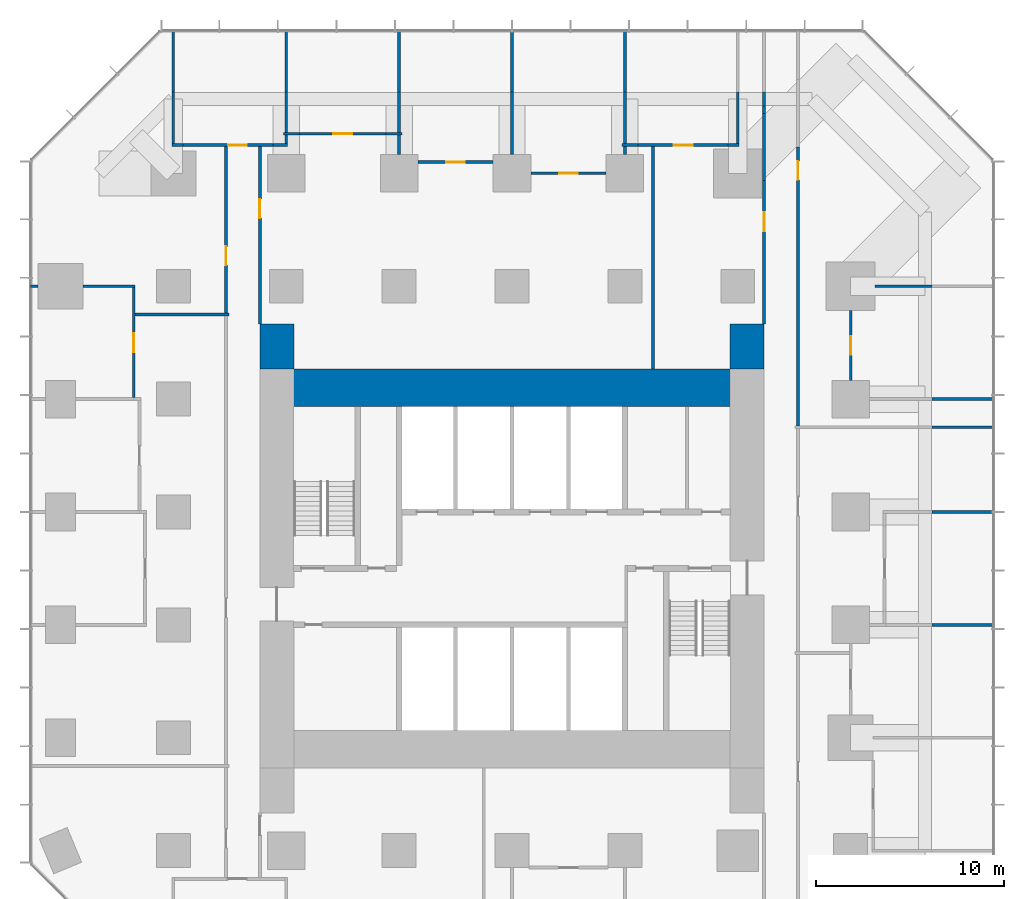
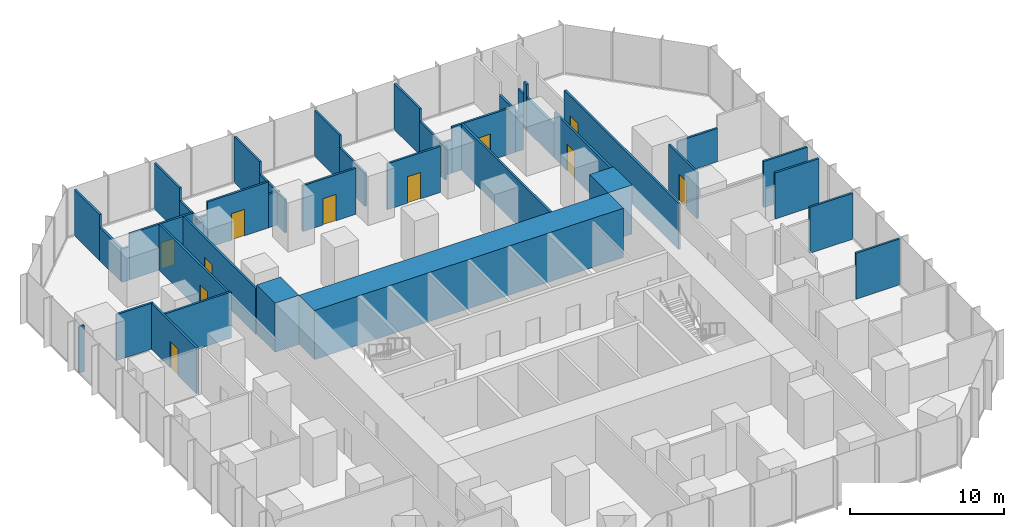
# One storey, part 10 of 12: 46 walls, 11 doors, 11 openings.
"""IFC4 building model written with IfcOpenShell, lengths in metres."""

from ifc_helpers import new_model, si_unit, direction, frame, frame_2d, origin, place, context, subcontext, project, spatial, rectangle, extrude, material, layer, layer_set, type_object, element, fill, save


model = new_model("IFC4")

# Units and contexts
model_context = context("Model", 3, precision=1e-05, world=origin(), true_north=direction((0.0, 1.0)))
body_context = subcontext(model_context, "Body", "Model", "MODEL_VIEW")
ifc_project = project(units=[si_unit("LENGTHUNIT", "METRE"), si_unit("AREAUNIT", "SQUARE_METRE"), si_unit("VOLUMEUNIT", "CUBIC_METRE"), si_unit("PLANEANGLEUNIT", "RADIAN"), si_unit("MASSUNIT", "GRAM", prefix="KILO")], contexts=[model_context])

# Site, building, storey
site_placement = place(None, origin())
site = spatial("IfcSite", under=ifc_project, at=site_placement, CompositionType="ELEMENT")
building_placement = place(site_placement, origin())
building = spatial("IfcBuilding", under=site, at=building_placement, Name="Highveld Stack Headquarters", CompositionType="ELEMENT")
storey_placement = place(building_placement, frame((0.0, 0.0, 80.60009765625)))
storey = spatial("IfcBuildingStorey", under=building, at=storey_placement, Name="L19", CompositionType="ELEMENT", Elevation=80.60009765625)

# Walls
ifc_material_1 = material(Name="Concrete C60/75", Category="concrete")
ifc_layer_1 = layer(ifc_material_1, 2.0)
ifc_layer_set_1 = layer_set([ifc_layer_1], Name="Concrete C60/75")
wall_type_1 = type_object("IfcWallType", Name="CORE WALL 2000 C60/75", PredefinedType="SHEAR", material=ifc_layer_set_1)
wall_1_placement = place(storey_placement, frame((-5.60009765625, 12.60009765625, 0.0), z_axis=(0.0, 0.0, 1.0), x_axis=(1.0, 0.0, 0.0)))
element("IfcWall", 1, at=wall_1_placement, inside=storey, type_object=wall_type_1, Name="Core wall N L19", PredefinedType="SHEAR", context=body_context, shape_type="SweptSolid", body=[
    extrude(rectangle(XDim=23.2001953125, YDim=2.0, at=frame_2d((11.60009765625, 0.0))), origin(), (0.0, 0.0, 1.0), 3.89990234375),
])
ifc_material_2 = material(Name="Concrete C60/75", Category="concrete")
ifc_layer_2 = layer(ifc_material_2, 1.800048828125)
ifc_layer_set_2 = layer_set([ifc_layer_2], Name="Concrete C60/75")
wall_type_2 = type_object("IfcWallType", Name="CORE WING WALL 1800 C60/75", PredefinedType="SHEAR", material=ifc_layer_set_2)
for number, where, z_axis, x_axis, name in (
    (2, (-6.5, 13.60009765625, 0.0), (0.0, 0.0, 1.0), (0.0, 1.0, 0.0), "Core wing wall WN L19"),
    (3, (18.5, 13.60009765625, 0.0), (0.0, 0.0, 1.0), (0.0, 1.0, 0.0), "Core wing wall EN L19"),
):
    element("IfcWall", number, at=place(storey_placement, frame(where, z_axis=z_axis, x_axis=x_axis)), inside=storey, type_object=wall_type_2, Name=name, PredefinedType="SHEAR", context=body_context, shape_type="SweptSolid", body=[
        extrude(rectangle(XDim=2.39990234375, YDim=1.800048828125, at=frame_2d((1.199951171875, 0.0))), origin(), (0.0, 0.0, 1.0), 3.89990234375),
    ])

# Wall, opening, door
ifc_material_3 = material(Name="Laminated glass in aluminium frame", Category="aluminium")
ifc_layer_3 = layer(ifc_material_3, 0.14990234375)
ifc_layer_set_3 = layer_set([ifc_layer_3], Name="Laminated glass in aluminium frame")
wall_type_3 = type_object("IfcWallType", Name="GLAZED PARTITION 150", PredefinedType="PARTITIONING", material=ifc_layer_set_3)
wall_2_placement = place(storey_placement, frame((7.0, 24.0, 0.0), z_axis=(0.0, 0.0, 1.0), x_axis=(1.0, 0.0, 0.0)))
wall_2 = element("IfcWall", 4, at=wall_2_placement, inside=storey, type_object=wall_type_3, Name="Glazed partition Meeting room L19", PredefinedType="PARTITIONING", context=body_context, shape_type="SweptSolid", body=[
    extrude(rectangle(XDim=4.0, YDim=0.14990234375, at=frame_2d((2.0, 0.0))), origin(), (0.0, 0.0, 1.0), 3.64990234375),
])
opening_1_placement = place(wall_2_placement, frame((1.5, 0.0, 0.0)))
opening_1 = element("IfcOpeningElement", 5, at=opening_1_placement, cuts=wall_2, Name="Opening L19-22", PredefinedType="OPENING", context=body_context, shape_type="SweptSolid", body=[
    extrude(rectangle(XDim=1.0, YDim=2.10009765625, at=frame_2d((0.5, 1.050048828125))), frame((0.0, 0.0849609375, 0.0), z_axis=(0.0, -1.0, 0.0), x_axis=(1.0, 0.0, 0.0)), (0.0, 0.0, 1.0), 0.169921875),
])
ifc_material_4 = material(Name="Timber door, oiled ash", Category="wood")
door_type = type_object("IfcDoorType", Name="ROOM DOOR D6 1000x2100", OperationType="SINGLE_SWING_LEFT", PredefinedType="DOOR", material=ifc_material_4)
door_1_placement = place(opening_1_placement, origin())
door_1 = element("IfcDoor", 6, at=door_1_placement, inside=storey, type_object=door_type, Name="Meeting room door 1 L19", OperationType="SINGLE_SWING_RIGHT", OverallHeight=2.10009765625, OverallWidth=1.0, PredefinedType="DOOR", context=body_context, shape_type="SweptSolid", body=[
    extrude(rectangle(XDim=1.0, YDim=2.10009765625, at=frame_2d((0.5, 1.050048828125))), frame((0.0, 0.02490234375, 0.0), z_axis=(0.0, -1.0, 0.0), x_axis=(1.0, 0.0, 0.0)), (0.0, 0.0, 1.0), 0.050048828125),
])
fill(opening_1, door_1)

wall_3_placement = place(storey_placement, frame((1.0, 24.60009765625, 0.0), z_axis=(0.0, 0.0, 1.0), x_axis=(1.0, 0.0, 0.0)))
wall_3 = element("IfcWall", 7, at=wall_3_placement, inside=storey, type_object=wall_type_3, Name="Glazed partition Video conference room L19", PredefinedType="PARTITIONING", context=body_context, shape_type="SweptSolid", body=[
    extrude(rectangle(XDim=4.0, YDim=0.14990234375, at=frame_2d((2.0, 0.0))), origin(), (0.0, 0.0, 1.0), 3.64990234375),
])
opening_2_placement = place(wall_3_placement, frame((1.5, 0.0, 0.0)))
opening_2 = element("IfcOpeningElement", 8, at=opening_2_placement, cuts=wall_3, Name="Opening L19-21", PredefinedType="OPENING", context=body_context, shape_type="SweptSolid", body=[
    extrude(rectangle(XDim=1.0, YDim=2.10009765625, at=frame_2d((0.5, 1.050048828125))), frame((0.0, 0.0849609375, 0.0), z_axis=(0.0, -1.0, 0.0), x_axis=(1.0, 0.0, 0.0)), (0.0, 0.0, 1.0), 0.169921875),
])
door_2_placement = place(opening_2_placement, origin())
door_2 = element("IfcDoor", 9, at=door_2_placement, inside=storey, type_object=door_type, Name="Video conference room door 1 L19", OperationType="SINGLE_SWING_RIGHT", OverallHeight=2.10009765625, OverallWidth=1.0, PredefinedType="DOOR", context=body_context, shape_type="SweptSolid", body=[
    extrude(rectangle(XDim=1.0, YDim=2.10009765625, at=frame_2d((0.5, 1.050048828125))), frame((0.0, 0.02490234375, 0.0), z_axis=(0.0, -1.0, 0.0), x_axis=(1.0, 0.0, 0.0)), (0.0, 0.0, 1.0), 0.050048828125),
])
fill(opening_2, door_2)

# Walls
ifc_material_5 = material(Name="Gypsum plasterboard on steel studs", Category="steel")
ifc_layer_4 = layer(ifc_material_5, 0.14990234375)
ifc_layer_set_4 = layer_set([ifc_layer_4], Name="Gypsum plasterboard on steel studs")
wall_type_4 = type_object("IfcWallType", Name="PARTITION 150 PLASTERBOARD", PredefinedType="PARTITIONING", material=ifc_layer_set_4)
wall_4_placement = place(storey_placement, frame((28.31005859375, 0.0, 0.0), z_axis=(0.0, 0.0, 1.0), x_axis=(1.0, 0.0, 0.0)))
element("IfcWall", 10, at=wall_4_placement, inside=storey, type_object=wall_type_4, Name="Partition Meeting room / Print room L19", PredefinedType="PARTITIONING", context=body_context, shape_type="SweptSolid", body=[
    extrude(rectangle(XDim=3.2900390625, YDim=0.14990234375, at=frame_2d((1.64501953125, 0.0))), origin(), (0.0, 0.0, 1.0), 3.64990234375),
])
wall_5_placement = place(storey_placement, frame((28.31005859375, 6.0, 0.0), z_axis=(0.0, 0.0, 1.0), x_axis=(1.0, 0.0, 0.0)))
element("IfcWall", 11, at=wall_5_placement, inside=storey, type_object=wall_type_4, Name="Partition Print room L19", PredefinedType="PARTITIONING", context=body_context, shape_type="SweptSolid", body=[
    extrude(rectangle(XDim=3.239990234375, YDim=0.14990234375, at=frame_2d((1.6201171875, 0.0))), origin(), (0.0, 0.0, 1.0), 3.64990234375),
])
wall_6_placement = place(storey_placement, frame((28.31005859375, 12.0, 0.0), z_axis=(0.0, 0.0, 1.0), x_axis=(1.0, 0.0, 0.0)))
element("IfcWall", 12, at=wall_6_placement, inside=storey, type_object=wall_type_4, Name="Partition Office L19", PredefinedType="PARTITIONING", context=body_context, shape_type="SweptSolid", body=[
    extrude(rectangle(XDim=3.2900390625, YDim=0.14990234375, at=frame_2d((1.64501953125, 0.0))), origin(), (0.0, 0.0, 1.0), 3.64990234375),
])
wall_7_placement = place(storey_placement, frame((-19.60009765625, 18.0, 0.0), z_axis=(0.0, 0.0, 1.0), x_axis=(1.0, 0.0, 0.0)))
element("IfcWall", 13, at=wall_7_placement, inside=storey, type_object=wall_type_4, Name="Partition Focus room L19", PredefinedType="PARTITIONING", context=body_context, shape_type="SweptSolid", body=[
    extrude(rectangle(XDim=0.400146484375, YDim=0.14990234375, at=frame_2d((0.2001953125, 0.0))), origin(), (0.0, 0.0, 1.0), 3.64990234375),
])
wall_8_placement = place(storey_placement, frame((-16.800048828125, 18.0, 0.0), z_axis=(0.0, 0.0, 1.0), x_axis=(1.0, 0.0, 0.0)))
element("IfcWall", 14, at=wall_8_placement, inside=storey, type_object=wall_type_4, Name="Partition Focus room L19", PredefinedType="PARTITIONING", context=body_context, shape_type="SweptSolid", body=[
    extrude(rectangle(XDim=2.775146484375, YDim=0.14990234375, at=frame_2d((1.3876953125, 0.0))), origin(), (0.0, 0.0, 1.0), 3.64990234375),
])
wall_9_placement = place(storey_placement, frame((25.300048828125, 18.0, 0.0), z_axis=(0.0, 0.0, 1.0), x_axis=(1.0, 0.0, 0.0)))
element("IfcWall", 15, at=wall_9_placement, inside=storey, type_object=wall_type_4, Name="Partition Office L19", PredefinedType="PARTITIONING", context=body_context, shape_type="SweptSolid", body=[
    extrude(rectangle(XDim=3.010009765625, YDim=0.14990234375, at=frame_2d((1.5048828125, 0.0))), origin(), (0.0, 0.0, 1.0), 2.64990234375),
])
wall_10_placement = place(storey_placement, frame((-12.074951171875, 25.5, 0.0), z_axis=(0.0, 0.0, 1.0), x_axis=(1.0, 0.0, 0.0)))
element("IfcWall", 16, at=wall_10_placement, inside=storey, type_object=wall_type_4, Name="Partition Quiet room L19", PredefinedType="PARTITIONING", context=body_context, shape_type="SweptSolid", body=[
    extrude(rectangle(XDim=0.5849609375, YDim=0.14990234375, at=frame_2d((0.29248046875, 0.0))), origin(), (0.0, 0.0, 1.0), 2.64990234375),
])

# Wall, opening, door
wall_11_placement = place(storey_placement, frame((-11.489990234375, 25.5, 0.0), z_axis=(0.0, 0.0, 1.0), x_axis=(1.0, 0.0, 0.0)))
wall_11 = element("IfcWall", 17, at=wall_11_placement, inside=storey, type_object=wall_type_4, Name="Partition Quiet room L19", PredefinedType="PARTITIONING", context=body_context, shape_type="SweptSolid", body=[
    extrude(rectangle(XDim=4.780029296875, YDim=0.14990234375, at=frame_2d((2.39013671875, 0.0))), origin(), (0.0, 0.0, 1.0), 3.64990234375),
])
opening_3_placement = place(wall_11_placement, frame((2.39990234375, 0.0, 0.0)))
opening_3 = element("IfcOpeningElement", 18, at=opening_3_placement, cuts=wall_11, Name="Opening L19-19", PredefinedType="OPENING", context=body_context, shape_type="SweptSolid", body=[
    extrude(rectangle(XDim=1.0, YDim=2.10009765625, at=frame_2d((0.5, 1.050048828125))), frame((0.0, 0.0849609375, 0.0), z_axis=(0.0, -1.0, 0.0), x_axis=(1.0, 0.0, 0.0)), (0.0, 0.0, 1.0), 0.169921875),
])
door_3_placement = place(opening_3_placement, origin())
door_3 = element("IfcDoor", 19, at=door_3_placement, inside=storey, type_object=door_type, Name="Quiet room door 1 L19", OperationType="SINGLE_SWING_RIGHT", OverallHeight=2.10009765625, OverallWidth=1.0, PredefinedType="DOOR", context=body_context, shape_type="SweptSolid", body=[
    extrude(rectangle(XDim=1.0, YDim=2.10009765625, at=frame_2d((0.5, 1.050048828125))), frame((0.0, 0.02490234375, 0.0), z_axis=(0.0, -1.0, 0.0), x_axis=(1.0, 0.0, 0.0)), (0.0, 0.0, 1.0), 0.050048828125),
])
fill(opening_3, door_3)

# Walls
wall_12_placement = place(storey_placement, frame((-6.7099609375, 25.5, 0.0), z_axis=(0.0, 0.0, 1.0), x_axis=(1.0, 0.0, 0.0)))
element("IfcWall", 20, at=wall_12_placement, inside=storey, type_object=wall_type_4, Name="Partition Quiet room L19", PredefinedType="PARTITIONING", context=body_context, shape_type="SweptSolid", body=[
    extrude(rectangle(XDim=0.784912109375, YDim=0.14990234375, at=frame_2d((0.392578125, 0.0))), origin(), (0.0, 0.0, 1.0), 2.64990234375),
])
wall_13_placement = place(storey_placement, frame((11.85009765625, 25.5, 0.0), z_axis=(0.0, 0.0, 1.0), x_axis=(1.0, 0.0, 0.0)))
element("IfcWall", 21, at=wall_13_placement, inside=storey, type_object=wall_type_4, Name="Partition Quiet room L19", PredefinedType="PARTITIONING", context=body_context, shape_type="SweptSolid", body=[
    extrude(rectangle(XDim=0.85986328125, YDim=0.14990234375, at=frame_2d((0.429931640625, 0.0))), origin(), (0.0, 0.0, 1.0), 2.64990234375),
])

# Wall, opening, door
wall_14_placement = place(storey_placement, frame((12.7099609375, 25.5, 0.0), z_axis=(0.0, 0.0, 1.0), x_axis=(1.0, 0.0, 0.0)))
wall_14 = element("IfcWall", 22, at=wall_14_placement, inside=storey, type_object=wall_type_4, Name="Partition Quiet room L19", PredefinedType="PARTITIONING", context=body_context, shape_type="SweptSolid", body=[
    extrude(rectangle(XDim=4.780029296875, YDim=0.14990234375, at=frame_2d((2.39013671875, 0.0))), origin(), (0.0, 0.0, 1.0), 3.64990234375),
])
opening_4_placement = place(wall_14_placement, frame((1.889892578125, 0.0, 0.0)))
opening_4 = element("IfcOpeningElement", 23, at=opening_4_placement, cuts=wall_14, Name="Opening L19-23", PredefinedType="OPENING", context=body_context, shape_type="SweptSolid", body=[
    extrude(rectangle(XDim=1.0, YDim=2.10009765625, at=frame_2d((0.5, 1.050048828125))), frame((0.0, 0.0849609375, 0.0), z_axis=(0.0, -1.0, 0.0), x_axis=(1.0, 0.0, 0.0)), (0.0, 0.0, 1.0), 0.169921875),
])
door_4_placement = place(opening_4_placement, origin())
door_4 = element("IfcDoor", 24, at=door_4_placement, inside=storey, type_object=door_type, Name="Quiet room door 1 L19", OperationType="SINGLE_SWING_RIGHT", OverallHeight=2.10009765625, OverallWidth=1.0, PredefinedType="DOOR", context=body_context, shape_type="SweptSolid", body=[
    extrude(rectangle(XDim=1.0, YDim=2.10009765625, at=frame_2d((0.5, 1.050048828125))), frame((0.0, 0.02490234375, 0.0), z_axis=(0.0, -1.0, 0.0), x_axis=(1.0, 0.0, 0.0)), (0.0, 0.0, 1.0), 0.050048828125),
])
fill(opening_4, door_4)

# Walls
wall_15_placement = place(storey_placement, frame((17.489990234375, 25.5, 0.0), z_axis=(0.0, 0.0, 1.0), x_axis=(1.0, 0.0, 0.0)))
element("IfcWall", 25, at=wall_15_placement, inside=storey, type_object=wall_type_4, Name="Partition Quiet room L19", PredefinedType="PARTITIONING", context=body_context, shape_type="SweptSolid", body=[
    extrude(rectangle(XDim=0.5849609375, YDim=0.14990234375, at=frame_2d((0.29248046875, 0.0))), origin(), (0.0, 0.0, 1.0), 2.64990234375),
])
wall_16_placement = place(storey_placement, frame((-6.14990234375, 26.10009765625, 0.0), z_axis=(0.0, 0.0, 1.0), x_axis=(1.0, 0.0, 0.0)))
element("IfcWall", 26, at=wall_16_placement, inside=storey, type_object=wall_type_4, Name="Partition Focus room L19", PredefinedType="PARTITIONING", context=body_context, shape_type="SweptSolid", body=[
    extrude(rectangle(XDim=0.85986328125, YDim=0.14990234375, at=frame_2d((0.429931640625, 0.0))), origin(), (0.0, 0.0, 1.0), 2.64990234375),
])

# Wall, opening, door
wall_17_placement = place(storey_placement, frame((-5.2900390625, 26.10009765625, 0.0), z_axis=(0.0, 0.0, 1.0), x_axis=(1.0, 0.0, 0.0)))
wall_17 = element("IfcWall", 27, at=wall_17_placement, inside=storey, type_object=wall_type_4, Name="Partition Focus room L19", PredefinedType="PARTITIONING", context=body_context, shape_type="SweptSolid", body=[
    extrude(rectangle(XDim=4.580078125, YDim=0.14990234375, at=frame_2d((2.2900390625, 0.0))), origin(), (0.0, 0.0, 1.0), 3.64990234375),
])
opening_5_placement = place(wall_17_placement, frame((1.7900390625, 0.0, 0.0)))
opening_5 = element("IfcOpeningElement", 28, at=opening_5_placement, cuts=wall_17, Name="Opening L19-20", PredefinedType="OPENING", context=body_context, shape_type="SweptSolid", body=[
    extrude(rectangle(XDim=1.0, YDim=2.10009765625, at=frame_2d((0.5, 1.050048828125))), frame((0.0, 0.0849609375, 0.0), z_axis=(0.0, -1.0, 0.0), x_axis=(1.0, 0.0, 0.0)), (0.0, 0.0, 1.0), 0.169921875),
])
door_5_placement = place(opening_5_placement, origin())
door_5 = element("IfcDoor", 29, at=door_5_placement, inside=storey, type_object=door_type, Name="Focus room door 1 L19", OperationType="SINGLE_SWING_LEFT", OverallHeight=2.10009765625, OverallWidth=1.0, PredefinedType="DOOR", context=body_context, shape_type="SweptSolid", body=[
    extrude(rectangle(XDim=1.0, YDim=2.10009765625, at=frame_2d((0.5, 1.050048828125))), frame((0.0, 0.02490234375, 0.0), z_axis=(0.0, -1.0, 0.0), x_axis=(1.0, 0.0, 0.0)), (0.0, 0.0, 1.0), 0.050048828125),
])
fill(opening_5, door_5)

# Wall
wall_18_placement = place(storey_placement, frame((-0.7099609375, 26.10009765625, 0.0), z_axis=(0.0, 0.0, 1.0), x_axis=(1.0, 0.0, 0.0)))
element("IfcWall", 30, at=wall_18_placement, inside=storey, type_object=wall_type_4, Name="Partition Focus room L19", PredefinedType="PARTITIONING", context=body_context, shape_type="SweptSolid", body=[
    extrude(rectangle(XDim=0.85986328125, YDim=0.14990234375, at=frame_2d((0.429931640625, 0.0))), origin(), (0.0, 0.0, 1.0), 2.64990234375),
])

# Wall, opening, door
wall_19_placement = place(storey_placement, frame((-14.10009765625, 12.074951171875, 0.0), z_axis=(0.0, 0.0, 1.0), x_axis=(0.0, 1.0, 0.0)))
wall_19 = element("IfcWall", 31, at=wall_19_placement, inside=storey, type_object=wall_type_4, Name="Partition Focus room L19", PredefinedType="PARTITIONING", context=body_context, shape_type="SweptSolid", body=[
    extrude(rectangle(XDim=5.85009765625, YDim=0.14990234375, at=frame_2d((2.925048828125, 0.0))), origin(), (0.0, 0.0, 1.0), 3.64990234375),
])
opening_6_placement = place(wall_19_placement, frame((2.425048828125, 0.0, 0.0)))
opening_6 = element("IfcOpeningElement", 32, at=opening_6_placement, cuts=wall_19, Name="Opening L19-14", PredefinedType="OPENING", context=body_context, shape_type="SweptSolid", body=[
    extrude(rectangle(XDim=1.0, YDim=2.10009765625, at=frame_2d((0.5, 1.050048828125))), frame((0.0, 0.0849609375, 0.0), z_axis=(0.0, -1.0, 0.0), x_axis=(1.0, 0.0, 0.0)), (0.0, 0.0, 1.0), 0.169921875),
])
door_6_placement = place(opening_6_placement, origin())
door_6 = element("IfcDoor", 33, at=door_6_placement, inside=storey, type_object=door_type, Name="Focus room door 1 L19", OperationType="SINGLE_SWING_LEFT", OverallHeight=2.10009765625, OverallWidth=1.0, PredefinedType="DOOR", context=body_context, shape_type="SweptSolid", body=[
    extrude(rectangle(XDim=1.0, YDim=2.10009765625, at=frame_2d((0.5, 1.050048828125))), frame((0.0, 0.02490234375, 0.0), z_axis=(0.0, -1.0, 0.0), x_axis=(1.0, 0.0, 0.0)), (0.0, 0.0, 1.0), 0.050048828125),
])
fill(opening_6, door_6)

# Walls
wall_20_placement = place(storey_placement, frame((-12.0, 25.574951171875, 0.0), z_axis=(0.0, 0.0, 1.0), x_axis=(0.0, 1.0, 0.0)))
element("IfcWall", 34, at=wall_20_placement, inside=storey, type_object=wall_type_4, Name="Partition Quiet room L19", PredefinedType="PARTITIONING", context=body_context, shape_type="SweptSolid", body=[
    extrude(rectangle(XDim=2.735107421875, YDim=0.14990234375, at=frame_2d((1.36767578125, 0.0))), origin(), (0.0, 0.0, 1.0), 2.64990234375),
])
wall_21_placement = place(storey_placement, frame((-12.0, 28.31005859375, 0.0), z_axis=(0.0, 0.0, 1.0), x_axis=(0.0, 1.0, 0.0)))
element("IfcWall", 35, at=wall_21_placement, inside=storey, type_object=wall_type_4, Name="Partition Quiet room L19", PredefinedType="PARTITIONING", context=body_context, shape_type="SweptSolid", body=[
    extrude(rectangle(XDim=3.2900390625, YDim=0.14990234375, at=frame_2d((1.64501953125, 0.0))), origin(), (0.0, 0.0, 1.0), 3.64990234375),
])
wall_22_placement = place(storey_placement, frame((-6.0, 25.574951171875, 0.0), z_axis=(0.0, 0.0, 1.0), x_axis=(0.0, 1.0, 0.0)))
element("IfcWall", 36, at=wall_22_placement, inside=storey, type_object=wall_type_4, Name="Partition Quiet room L19", PredefinedType="PARTITIONING", context=body_context, shape_type="SweptSolid", body=[
    extrude(rectangle(XDim=0.449951171875, YDim=0.14990234375, at=frame_2d((0.22509765625, 0.0))), origin(), (0.0, 0.0, 1.0), 2.64990234375),
])
wall_23_placement = place(storey_placement, frame((-6.0, 26.175048828125, 0.0), z_axis=(0.0, 0.0, 1.0), x_axis=(0.0, 1.0, 0.0)))
element("IfcWall", 37, at=wall_23_placement, inside=storey, type_object=wall_type_4, Name="Partition Focus room / Quiet room L19", PredefinedType="PARTITIONING", context=body_context, shape_type="SweptSolid", body=[
    extrude(rectangle(XDim=2.135009765625, YDim=0.14990234375, at=frame_2d((1.0673828125, 0.0))), origin(), (0.0, 0.0, 1.0), 2.64990234375),
])
wall_24_placement = place(storey_placement, frame((-6.0, 28.31005859375, 0.0), z_axis=(0.0, 0.0, 1.0), x_axis=(0.0, 1.0, 0.0)))
element("IfcWall", 38, at=wall_24_placement, inside=storey, type_object=wall_type_4, Name="Partition Focus room / Quiet room L19", PredefinedType="PARTITIONING", context=body_context, shape_type="SweptSolid", body=[
    extrude(rectangle(XDim=3.2900390625, YDim=0.14990234375, at=frame_2d((1.64501953125, 0.0))), origin(), (0.0, 0.0, 1.0), 3.64990234375),
])
wall_25_placement = place(storey_placement, frame((0.0, 25.0, 0.0), z_axis=(0.0, 0.0, 1.0), x_axis=(0.0, 1.0, 0.0)))
element("IfcWall", 39, at=wall_25_placement, inside=storey, type_object=wall_type_4, Name="Partition Video conference room L19", PredefinedType="PARTITIONING", context=body_context, shape_type="SweptSolid", body=[
    extrude(rectangle(XDim=1.02490234375, YDim=0.14990234375, at=frame_2d((0.512451171875, 0.0))), origin(), (0.0, 0.0, 1.0), 2.64990234375),
])
wall_26_placement = place(storey_placement, frame((0.0, 26.175048828125, 0.0), z_axis=(0.0, 0.0, 1.0), x_axis=(0.0, 1.0, 0.0)))
element("IfcWall", 40, at=wall_26_placement, inside=storey, type_object=wall_type_4, Name="Partition Focus room / Video conference room L19", PredefinedType="PARTITIONING", context=body_context, shape_type="SweptSolid", body=[
    extrude(rectangle(XDim=2.135009765625, YDim=0.14990234375, at=frame_2d((1.0673828125, 0.0))), origin(), (0.0, 0.0, 1.0), 2.64990234375),
])
wall_27_placement = place(storey_placement, frame((0.0, 28.31005859375, 0.0), z_axis=(0.0, 0.0, 1.0), x_axis=(0.0, 1.0, 0.0)))
element("IfcWall", 41, at=wall_27_placement, inside=storey, type_object=wall_type_4, Name="Partition Focus room / Video conference room L19", PredefinedType="PARTITIONING", context=body_context, shape_type="SweptSolid", body=[
    extrude(rectangle(XDim=3.2900390625, YDim=0.14990234375, at=frame_2d((1.64501953125, 0.0))), origin(), (0.0, 0.0, 1.0), 3.64990234375),
])
wall_28_placement = place(storey_placement, frame((6.0, 25.0, 0.0), z_axis=(0.0, 0.0, 1.0), x_axis=(0.0, 1.0, 0.0)))
element("IfcWall", 42, at=wall_28_placement, inside=storey, type_object=wall_type_4, Name="Partition Meeting room / Video conference room L19", PredefinedType="PARTITIONING", context=body_context, shape_type="SweptSolid", body=[
    extrude(rectangle(XDim=3.31005859375, YDim=0.14990234375, at=frame_2d((1.655029296875, 0.0))), origin(), (0.0, 0.0, 1.0), 2.64990234375),
])
wall_29_placement = place(storey_placement, frame((6.0, 28.31005859375, 0.0), z_axis=(0.0, 0.0, 1.0), x_axis=(0.0, 1.0, 0.0)))
element("IfcWall", 43, at=wall_29_placement, inside=storey, type_object=wall_type_4, Name="Partition Meeting room / Video conference room L19", PredefinedType="PARTITIONING", context=body_context, shape_type="SweptSolid", body=[
    extrude(rectangle(XDim=3.239990234375, YDim=0.14990234375, at=frame_2d((1.6201171875, 0.0))), origin(), (0.0, 0.0, 1.0), 3.64990234375),
])
wall_30_placement = place(storey_placement, frame((12.0, 25.0, 0.0), z_axis=(0.0, 0.0, 1.0), x_axis=(0.0, 1.0, 0.0)))
element("IfcWall", 44, at=wall_30_placement, inside=storey, type_object=wall_type_4, Name="Partition Meeting room L19", PredefinedType="PARTITIONING", context=body_context, shape_type="SweptSolid", body=[
    extrude(rectangle(XDim=0.425048828125, YDim=0.14990234375, at=frame_2d((0.21240234375, 0.0))), origin(), (0.0, 0.0, 1.0), 2.64990234375),
])
wall_31_placement = place(storey_placement, frame((12.0, 25.574951171875, 0.0), z_axis=(0.0, 0.0, 1.0), x_axis=(0.0, 1.0, 0.0)))
element("IfcWall", 45, at=wall_31_placement, inside=storey, type_object=wall_type_4, Name="Partition Meeting room / Quiet room L19", PredefinedType="PARTITIONING", context=body_context, shape_type="SweptSolid", body=[
    extrude(rectangle(XDim=2.735107421875, YDim=0.14990234375, at=frame_2d((1.36767578125, 0.0))), origin(), (0.0, 0.0, 1.0), 2.64990234375),
])
wall_32_placement = place(storey_placement, frame((12.0, 28.31005859375, 0.0), z_axis=(0.0, 0.0, 1.0), x_axis=(0.0, 1.0, 0.0)))
element("IfcWall", 46, at=wall_32_placement, inside=storey, type_object=wall_type_4, Name="Partition Meeting room / Quiet room L19", PredefinedType="PARTITIONING", context=body_context, shape_type="SweptSolid", body=[
    extrude(rectangle(XDim=3.2900390625, YDim=0.14990234375, at=frame_2d((1.64501953125, 0.0))), origin(), (0.0, 0.0, 1.0), 3.64990234375),
])
wall_33_placement = place(storey_placement, frame((18.0, 25.574951171875, 0.0), z_axis=(0.0, 0.0, 1.0), x_axis=(0.0, 1.0, 0.0)))
element("IfcWall", 47, at=wall_33_placement, inside=storey, type_object=wall_type_4, Name="Partition Quiet room L19", PredefinedType="PARTITIONING", context=body_context, shape_type="SweptSolid", body=[
    extrude(rectangle(XDim=2.735107421875, YDim=0.14990234375, at=frame_2d((1.36767578125, 0.0))), origin(), (0.0, 0.0, 1.0), 2.64990234375),
])

# Wall, opening, door
wall_34_placement = place(storey_placement, frame((24.0, 13.0, 0.0), z_axis=(0.0, 0.0, 1.0), x_axis=(0.0, 1.0, 0.0)))
wall_34 = element("IfcWall", 48, at=wall_34_placement, inside=storey, type_object=wall_type_4, Name="Partition Office L19", PredefinedType="PARTITIONING", context=body_context, shape_type="SweptSolid", body=[
    extrude(rectangle(XDim=3.699951171875, YDim=0.14990234375, at=frame_2d((1.85009765625, 0.0))), origin(), (0.0, 0.0, 1.0), 3.64990234375),
])
opening_7_placement = place(wall_34_placement, frame((1.35009765625, 0.0, 0.0)))
opening_7 = element("IfcOpeningElement", 49, at=opening_7_placement, cuts=wall_34, Name="Opening L19-18", PredefinedType="OPENING", context=body_context, shape_type="SweptSolid", body=[
    extrude(rectangle(XDim=1.0, YDim=2.10009765625, at=frame_2d((0.5, 1.050048828125))), frame((0.0, 0.0849609375, 0.0), z_axis=(0.0, -1.0, 0.0), x_axis=(1.0, 0.0, 0.0)), (0.0, 0.0, 1.0), 0.169921875),
])
door_7_placement = place(opening_7_placement, origin())
door_7 = element("IfcDoor", 50, at=door_7_placement, inside=storey, type_object=door_type, Name="Office door 1 L19", OperationType="SINGLE_SWING_LEFT", OverallHeight=2.10009765625, OverallWidth=1.0, PredefinedType="DOOR", context=body_context, shape_type="SweptSolid", body=[
    extrude(rectangle(XDim=1.0, YDim=2.10009765625, at=frame_2d((0.5, 1.050048828125))), frame((0.0, 0.02490234375, 0.0), z_axis=(0.0, -1.0, 0.0), x_axis=(1.0, 0.0, 0.0)), (0.0, 0.0, 1.0), 0.050048828125),
])
fill(opening_7, door_7)

# Wall
wall_35_placement = place(storey_placement, frame((-14.02490234375, 16.5, 0.0), z_axis=(0.0, 0.0, 1.0), x_axis=(1.0, 0.0, 0.0)))
element("IfcWall", 51, at=wall_35_placement, inside=storey, type_object=wall_type_4, Name="Partition office neighbourhood L19", PredefinedType="PARTITIONING", context=body_context, shape_type="SweptSolid", body=[
    extrude(rectangle(XDim=4.974853515625, YDim=0.14990234375, at=frame_2d((2.4873046875, 0.0))), origin(), (0.0, 0.0, 1.0), 3.64990234375),
])

# Wall, opening, door
wall_36_placement = place(storey_placement, frame((-9.199951171875, 16.574951171875, 0.0), z_axis=(0.0, 0.0, 1.0), x_axis=(0.0, 1.0, 0.0)))
wall_36 = element("IfcWall", 52, at=wall_36_placement, inside=storey, type_object=wall_type_4, Name="Partition office neighbourhood L19", PredefinedType="PARTITIONING", context=body_context, shape_type="SweptSolid", body=[
    extrude(rectangle(XDim=8.85009765625, YDim=0.14990234375, at=frame_2d((4.425048828125, 0.0))), origin(), (0.0, 0.0, 1.0), 3.64990234375),
])
opening_8_placement = place(wall_36_placement, frame((2.549072265625, 0.0, 0.0)))
opening_8 = element("IfcOpeningElement", 53, at=opening_8_placement, cuts=wall_36, Name="Opening L19-32", PredefinedType="OPENING", context=body_context, shape_type="SweptSolid", body=[
    extrude(rectangle(XDim=1.0, YDim=2.10009765625, at=frame_2d((0.5, 1.050048828125))), frame((0.0, 0.0849609375, 0.0), z_axis=(0.0, -1.0, 0.0), x_axis=(1.0, 0.0, 0.0)), (0.0, 0.0, 1.0), 0.169921875),
])
door_8_placement = place(opening_8_placement, origin())
door_8 = element("IfcDoor", 54, at=door_8_placement, inside=storey, type_object=door_type, Name="Office neighbourhood door L19", OperationType="SINGLE_SWING_LEFT", OverallHeight=2.10009765625, OverallWidth=1.0, PredefinedType="DOOR", context=body_context, shape_type="SweptSolid", body=[
    extrude(rectangle(XDim=1.0, YDim=2.10009765625, at=frame_2d((0.5, 1.050048828125))), frame((0.0, 0.02490234375, 0.0), z_axis=(0.0, -1.0, 0.0), x_axis=(1.0, 0.0, 0.0)), (0.0, 0.0, 1.0), 0.050048828125),
])
fill(opening_8, door_8)

wall_37_placement = place(storey_placement, frame((-7.39990234375, 16.0, 0.0), z_axis=(0.0, 0.0, 1.0), x_axis=(0.0, 1.0, 0.0)))
wall_37 = element("IfcWall", 55, at=wall_37_placement, inside=storey, type_object=wall_type_4, Name="Partition office neighbourhood L19", PredefinedType="PARTITIONING", context=body_context, shape_type="SweptSolid", body=[
    extrude(rectangle(XDim=9.425048828125, YDim=0.14990234375, at=frame_2d((4.71240234375, 0.0))), origin(), (0.0, 0.0, 1.0), 3.64990234375),
])
opening_9_placement = place(wall_37_placement, frame((5.6259765625, 0.0, 0.0)))
opening_9 = element("IfcOpeningElement", 56, at=opening_9_placement, cuts=wall_37, Name="Opening L19-29", PredefinedType="OPENING", context=body_context, shape_type="SweptSolid", body=[
    extrude(rectangle(XDim=1.0, YDim=2.10009765625, at=frame_2d((0.5, 1.050048828125))), frame((0.0, 0.0849609375, 0.0), z_axis=(0.0, -1.0, 0.0), x_axis=(1.0, 0.0, 0.0)), (0.0, 0.0, 1.0), 0.169921875),
])
door_9_placement = place(opening_9_placement, origin())
door_9 = element("IfcDoor", 57, at=door_9_placement, inside=storey, type_object=door_type, Name="Office neighbourhood door L19", OperationType="SINGLE_SWING_RIGHT", OverallHeight=2.10009765625, OverallWidth=1.0, PredefinedType="DOOR", context=body_context, shape_type="SweptSolid", body=[
    extrude(rectangle(XDim=1.0, YDim=2.10009765625, at=frame_2d((0.5, 1.050048828125))), frame((0.0, 0.02490234375, 0.0), z_axis=(0.0, -1.0, 0.0), x_axis=(1.0, 0.0, 0.0)), (0.0, 0.0, 1.0), 0.050048828125),
])
fill(opening_9, door_9)

# Wall
wall_38_placement = place(storey_placement, frame((13.5, 13.60009765625, 0.0), z_axis=(0.0, 0.0, 1.0), x_axis=(0.0, 1.0, 0.0)))
element("IfcWall", 58, at=wall_38_placement, inside=storey, type_object=wall_type_4, Name="Partition office neighbourhood L19", PredefinedType="PARTITIONING", context=body_context, shape_type="SweptSolid", body=[
    extrude(rectangle(XDim=11.824951171875, YDim=0.14990234375, at=frame_2d((5.91259765625, 0.0))), origin(), (0.0, 0.0, 1.0), 3.64990234375),
])

# Wall, opening, door
wall_39_placement = place(storey_placement, frame((19.39990234375, 16.0, 0.0), z_axis=(0.0, 0.0, 1.0), x_axis=(0.0, 1.0, 0.0)))
wall_39 = element("IfcWall", 59, at=wall_39_placement, inside=storey, type_object=wall_type_4, Name="Partition office neighbourhood L19", PredefinedType="PARTITIONING", context=body_context, shape_type="SweptSolid", body=[
    extrude(rectangle(XDim=7.60791015625, YDim=0.14990234375, at=frame_2d((3.803955078125, 0.0))), origin(), (0.0, 0.0, 1.0), 3.64990234375),
])
opening_10_placement = place(wall_39_placement, frame((4.925048828125, 0.0, 0.0)))
opening_10 = element("IfcOpeningElement", 60, at=opening_10_placement, cuts=wall_39, Name="Opening L19-30", PredefinedType="OPENING", context=body_context, shape_type="SweptSolid", body=[
    extrude(rectangle(XDim=1.0, YDim=2.10009765625, at=frame_2d((0.5, 1.050048828125))), frame((0.0, 0.0849609375, 0.0), z_axis=(0.0, -1.0, 0.0), x_axis=(1.0, 0.0, 0.0)), (0.0, 0.0, 1.0), 0.169921875),
])
door_10_placement = place(opening_10_placement, origin())
door_10 = element("IfcDoor", 61, at=door_10_placement, inside=storey, type_object=door_type, Name="Office neighbourhood door L19", OperationType="SINGLE_SWING_RIGHT", OverallHeight=2.10009765625, OverallWidth=1.0, PredefinedType="DOOR", context=body_context, shape_type="SweptSolid", body=[
    extrude(rectangle(XDim=1.0, YDim=2.10009765625, at=frame_2d((0.5, 1.050048828125))), frame((0.0, 0.02490234375, 0.0), z_axis=(0.0, -1.0, 0.0), x_axis=(1.0, 0.0, 0.0)), (0.0, 0.0, 1.0), 0.050048828125),
])
fill(opening_10, door_10)

# Walls
wall_40_placement = place(storey_placement, frame((19.39990234375, 23.60791015625, 0.0), z_axis=(0.0, 0.0, 1.0), x_axis=(0.0, 1.0, 0.0)))
element("IfcWall", 62, at=wall_40_placement, inside=storey, type_object=wall_type_4, Name="Partition office neighbourhood L19", PredefinedType="PARTITIONING", context=body_context, shape_type="SweptSolid", body=[
    extrude(rectangle(XDim=3.584228515625, YDim=0.14990234375, at=frame_2d((1.7919921875, 0.0))), origin(), (0.0, 0.0, 1.0), 2.64990234375),
])
wall_41_placement = place(storey_placement, frame((19.39990234375, 27.192138671875, 0.0), z_axis=(0.0, 0.0, 1.0), x_axis=(0.0, 1.0, 0.0)))
element("IfcWall", 63, at=wall_41_placement, inside=storey, type_object=wall_type_4, Name="Partition office neighbourhood L19", PredefinedType="PARTITIONING", context=body_context, shape_type="SweptSolid", body=[
    extrude(rectangle(XDim=0.39794921875, YDim=0.14990234375, at=frame_2d((0.198974609375, 0.0))), origin(), (0.0, 0.0, 1.0), 3.64990234375),
])
wall_42_placement = place(storey_placement, frame((19.39990234375, 27.590087890625, 0.0), z_axis=(0.0, 0.0, 1.0), x_axis=(0.0, 1.0, 0.0)))
element("IfcWall", 64, at=wall_42_placement, inside=storey, type_object=wall_type_4, Name="Partition office neighbourhood L19", PredefinedType="PARTITIONING", context=body_context, shape_type="SweptSolid", body=[
    extrude(rectangle(XDim=0.719970703125, YDim=0.14990234375, at=frame_2d((0.35986328125, 0.0))), origin(), (0.0, 0.0, 1.0), 2.64990234375),
])

# Wall, opening, door
wall_43_placement = place(storey_placement, frame((21.199951171875, 10.574951171875, 0.0), z_axis=(0.0, 0.0, 1.0), x_axis=(0.0, 1.0, 0.0)))
wall_43 = element("IfcWall", 65, at=wall_43_placement, inside=storey, type_object=wall_type_4, Name="Partition office neighbourhood L19", PredefinedType="PARTITIONING", context=body_context, shape_type="SweptSolid", body=[
    extrude(rectangle(XDim=14.8330078125, YDim=0.14990234375, at=frame_2d((7.41650390625, 0.0))), origin(), (0.0, 0.0, 1.0), 3.64990234375),
])
opening_11_placement = place(wall_43_placement, frame((13.074951171875, 0.0, 0.0)))
opening_11 = element("IfcOpeningElement", 66, at=opening_11_placement, cuts=wall_43, Name="Opening L19-31", PredefinedType="OPENING", context=body_context, shape_type="SweptSolid", body=[
    extrude(rectangle(XDim=1.0, YDim=2.10009765625, at=frame_2d((0.5, 1.050048828125))), frame((0.0, 0.0849609375, 0.0), z_axis=(0.0, -1.0, 0.0), x_axis=(1.0, 0.0, 0.0)), (0.0, 0.0, 1.0), 0.169921875),
])
door_11_placement = place(opening_11_placement, origin())
door_11 = element("IfcDoor", 67, at=door_11_placement, inside=storey, type_object=door_type, Name="Office neighbourhood door L19", OperationType="SINGLE_SWING_RIGHT", OverallHeight=2.10009765625, OverallWidth=1.0, PredefinedType="DOOR", context=body_context, shape_type="SweptSolid", body=[
    extrude(rectangle(XDim=1.0, YDim=2.10009765625, at=frame_2d((0.5, 1.050048828125))), frame((0.0, 0.02490234375, 0.0), z_axis=(0.0, -1.0, 0.0), x_axis=(1.0, 0.0, 0.0)), (0.0, 0.0, 1.0), 0.050048828125),
])
fill(opening_11, door_11)

# Wall
wall_44_placement = place(storey_placement, frame((28.31005859375, 10.5, 0.0), z_axis=(0.0, 0.0, 1.0), x_axis=(1.0, 0.0, 0.0)))
element("IfcWall", 68, at=wall_44_placement, inside=storey, type_object=wall_type_4, Name="Partition office neighbourhood L19", PredefinedType="PARTITIONING", context=body_context, shape_type="SweptSolid", body=[
    extrude(rectangle(XDim=3.2900390625, YDim=0.14990234375, at=frame_2d((1.64501953125, 0.0))), origin(), (0.0, 0.0, 1.0), 3.64990234375),
])

save(model, "model.ifc")
